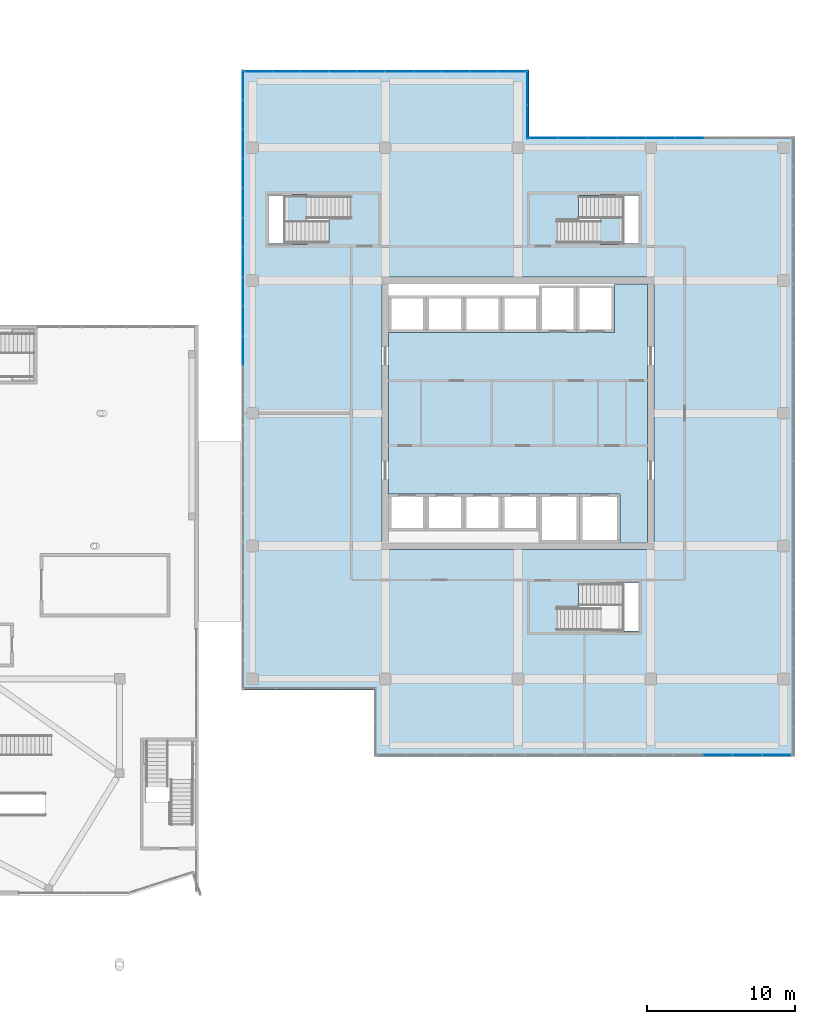
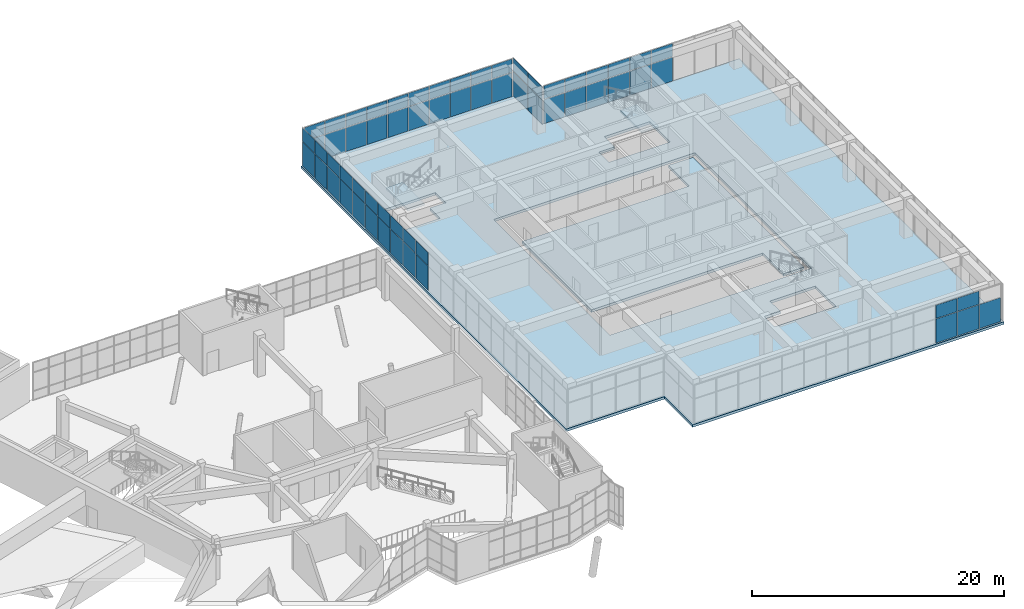
# One storey, part 50 of 66: 61 plates, 4 slabs, 7 elements without a shape of their own.
"""IFC4 building model written with IfcOpenShell, lengths in metres."""

from ifc_helpers import new_model, si_unit, direction, frame, origin, origin_2d, place, context, subcontext, project, spatial, polyline, rectangle, outline, extrude, material, layer, layer_set, type_object, element, aggregate, save


model = new_model("IFC4")

# Units and contexts
model_context = context("Model", 3, precision=1e-05, world=origin(), true_north=direction((0.0, 1.0)))
body_context = subcontext(model_context, "Body", "Model", "MODEL_VIEW")
ifc_project = project(units=[si_unit("LENGTHUNIT", "METRE"), si_unit("AREAUNIT", "SQUARE_METRE"), si_unit("VOLUMEUNIT", "CUBIC_METRE"), si_unit("PLANEANGLEUNIT", "RADIAN"), si_unit("MASSUNIT", "GRAM", prefix="KILO")], contexts=[model_context])

# Site, building, storey
site_placement = place(None, origin())
site = spatial("IfcSite", under=ifc_project, at=site_placement, CompositionType="ELEMENT")
building_placement = place(site_placement, origin())
building = spatial("IfcBuilding", under=site, at=building_placement, Name="Tuart Plaza Theatre", CompositionType="ELEMENT")
storey_placement = place(building_placement, frame((0.0, 0.0, 5.5)))
storey = spatial("IfcBuildingStorey", under=building, at=storey_placement, Name="L01", CompositionType="ELEMENT", Elevation=5.5)

# Curtain wall, plates
ifc_material_1 = material(Name="Aluminium and glass", Category="aluminium")
ifc_layer_1 = layer(ifc_material_1, 0.10009765625)
ifc_layer_set_1 = layer_set([ifc_layer_1], Name="CURTAIN WALL 2000 module")
curtain_wall_type = type_object("IfcCurtainWallType", Name="CURTAIN WALL 2000 module", PredefinedType="NOTDEFINED", material=ifc_layer_set_1)
curtain_wall_1_placement = place(storey_placement, origin())
curtain_wall_1 = element("IfcCurtainWall", 1, at=curtain_wall_1_placement, inside=storey, type_object=curtain_wall_type, Name="CW68", PredefinedType="NOTDEFINED")
ifc_material_2 = material(Name="Glass", Category="glass")
ifc_layer_2 = layer(ifc_material_2, 0.028076171875)
ifc_layer_set_2 = layer_set([ifc_layer_2], Name="CURTAIN PANEL double glazed 28")
plate_type = type_object("IfcPlateType", Name="CURTAIN PANEL double glazed 28", PredefinedType="CURTAIN_PANEL", material=ifc_layer_set_2)
plate_1_placement = place(storey_placement, frame((145.5322265625, 50.85009765625, 0.0498046875), z_axis=(0.0, 0.0, 1.0), x_axis=(1.0, 0.0, 0.0)))
plate_1 = element("IfcPlate", 2, at=plate_1_placement, type_object=plate_type, Name="CW68 panel 12.1", PredefinedType="CURTAIN_PANEL", context=body_context, shape_type="SweptSolid", body=[
    extrude(rectangle(XDim=1.95703125, YDim=0.028076171875, at=origin_2d()), origin(), (0.0, 0.0, 1.0), 2.324951171875),
])
plate_2_placement = place(storey_placement, frame((145.5322265625, 50.85009765625, 2.425048828125), z_axis=(0.0, 0.0, 1.0), x_axis=(1.0, 0.0, 0.0)))
plate_2 = element("IfcPlate", 3, at=plate_2_placement, type_object=plate_type, Name="CW68 panel 12.2", PredefinedType="CURTAIN_PANEL", context=body_context, shape_type="SweptSolid", body=[
    extrude(rectangle(XDim=1.95703125, YDim=0.028076171875, at=origin_2d()), origin(), (0.0, 0.0, 1.0), 1.27490234375),
])
plate_3_placement = place(storey_placement, frame((147.539306640625, 50.85009765625, 0.0498046875), z_axis=(0.0, 0.0, 1.0), x_axis=(1.0, 0.0, 0.0)))
plate_3 = element("IfcPlate", 4, at=plate_3_placement, type_object=plate_type, Name="CW68 panel 13.1", PredefinedType="CURTAIN_PANEL", context=body_context, shape_type="SweptSolid", body=[
    extrude(rectangle(XDim=1.95703125, YDim=0.028076171875, at=origin_2d()), origin(), (0.0, 0.0, 1.0), 2.324951171875),
])
plate_4_placement = place(storey_placement, frame((147.539306640625, 50.85009765625, 2.425048828125), z_axis=(0.0, 0.0, 1.0), x_axis=(1.0, 0.0, 0.0)))
plate_4 = element("IfcPlate", 5, at=plate_4_placement, type_object=plate_type, Name="CW68 panel 13.2", PredefinedType="CURTAIN_PANEL", context=body_context, shape_type="SweptSolid", body=[
    extrude(rectangle(XDim=1.95703125, YDim=0.028076171875, at=origin_2d()), origin(), (0.0, 0.0, 1.0), 1.27490234375),
])
plate_5_placement = place(storey_placement, frame((149.533935546875, 50.85009765625, 0.0498046875), z_axis=(0.0, 0.0, 1.0), x_axis=(1.0, 0.0, 0.0)))
plate_5 = element("IfcPlate", 6, at=plate_5_placement, type_object=plate_type, Name="CW68 panel 14.1", PredefinedType="CURTAIN_PANEL", context=body_context, shape_type="SweptSolid", body=[
    extrude(rectangle(XDim=1.93212890625, YDim=0.028076171875, at=origin_2d()), origin(), (0.0, 0.0, 1.0), 2.324951171875),
])
aggregate(curtain_wall_1, [plate_1, plate_2, plate_3, plate_4, plate_5])

curtain_wall_2_placement = place(storey_placement, origin())
curtain_wall_2 = element("IfcCurtainWall", 7, at=curtain_wall_2_placement, inside=storey, type_object=curtain_wall_type, Name="CW70", PredefinedType="NOTDEFINED")
plate_6_placement = place(storey_placement, frame((143.627685546875, 92.64990234375, 0.0498046875), z_axis=(0.0, 0.0, 1.0), x_axis=(-1.0, 0.0, 0.0)))
plate_6 = element("IfcPlate", 8, at=plate_6_placement, type_object=plate_type, Name="CW70 panel 4.1", PredefinedType="CURTAIN_PANEL", context=body_context, shape_type="SweptSolid", body=[
    extrude(rectangle(XDim=1.927734375, YDim=0.028076171875, at=origin_2d()), origin(), (0.0, 0.0, 1.0), 2.324951171875),
])
plate_7_placement = place(storey_placement, frame((143.627685546875, 92.64990234375, 2.425048828125), z_axis=(0.0, 0.0, 1.0), x_axis=(-1.0, 0.0, 0.0)))
plate_7 = element("IfcPlate", 9, at=plate_7_placement, type_object=plate_type, Name="CW70 panel 4.2", PredefinedType="CURTAIN_PANEL", context=body_context, shape_type="SweptSolid", body=[
    extrude(rectangle(XDim=1.927734375, YDim=0.028076171875, at=origin_2d()), origin(), (0.0, 0.0, 1.0), 1.27490234375),
])
plate_8_placement = place(storey_placement, frame((141.64990234375, 92.64990234375, 0.0498046875), z_axis=(0.0, 0.0, 1.0), x_axis=(-1.0, 0.0, 0.0)))
plate_8 = element("IfcPlate", 10, at=plate_8_placement, type_object=plate_type, Name="CW70 panel 5.1", PredefinedType="CURTAIN_PANEL", context=body_context, shape_type="SweptSolid", body=[
    extrude(rectangle(XDim=1.927734375, YDim=0.028076171875, at=origin_2d()), origin(), (0.0, 0.0, 1.0), 2.324951171875),
])
plate_9_placement = place(storey_placement, frame((141.64990234375, 92.64990234375, 2.425048828125), z_axis=(0.0, 0.0, 1.0), x_axis=(-1.0, 0.0, 0.0)))
plate_9 = element("IfcPlate", 11, at=plate_9_placement, type_object=plate_type, Name="CW70 panel 5.2", PredefinedType="CURTAIN_PANEL", context=body_context, shape_type="SweptSolid", body=[
    extrude(rectangle(XDim=1.927734375, YDim=0.028076171875, at=origin_2d()), origin(), (0.0, 0.0, 1.0), 1.27490234375),
])
plate_10_placement = place(storey_placement, frame((139.672119140625, 92.64990234375, 0.0498046875), z_axis=(0.0, 0.0, 1.0), x_axis=(-1.0, 0.0, 0.0)))
plate_10 = element("IfcPlate", 12, at=plate_10_placement, type_object=plate_type, Name="CW70 panel 6.1", PredefinedType="CURTAIN_PANEL", context=body_context, shape_type="SweptSolid", body=[
    extrude(rectangle(XDim=1.927734375, YDim=0.028076171875, at=origin_2d()), origin(), (0.0, 0.0, 1.0), 2.324951171875),
])
plate_11_placement = place(storey_placement, frame((139.672119140625, 92.64990234375, 2.425048828125), z_axis=(0.0, 0.0, 1.0), x_axis=(-1.0, 0.0, 0.0)))
plate_11 = element("IfcPlate", 13, at=plate_11_placement, type_object=plate_type, Name="CW70 panel 6.2", PredefinedType="CURTAIN_PANEL", context=body_context, shape_type="SweptSolid", body=[
    extrude(rectangle(XDim=1.927734375, YDim=0.028076171875, at=origin_2d()), origin(), (0.0, 0.0, 1.0), 1.27490234375),
])
plate_12_placement = place(storey_placement, frame((137.6943359375, 92.64990234375, 0.0498046875), z_axis=(0.0, 0.0, 1.0), x_axis=(-1.0, 0.0, 0.0)))
plate_12 = element("IfcPlate", 14, at=plate_12_placement, type_object=plate_type, Name="CW70 panel 7.1", PredefinedType="CURTAIN_PANEL", context=body_context, shape_type="SweptSolid", body=[
    extrude(rectangle(XDim=1.927734375, YDim=0.028076171875, at=origin_2d()), origin(), (0.0, 0.0, 1.0), 2.324951171875),
])
plate_13_placement = place(storey_placement, frame((137.6943359375, 92.64990234375, 2.425048828125), z_axis=(0.0, 0.0, 1.0), x_axis=(-1.0, 0.0, 0.0)))
plate_13 = element("IfcPlate", 15, at=plate_13_placement, type_object=plate_type, Name="CW70 panel 7.2", PredefinedType="CURTAIN_PANEL", context=body_context, shape_type="SweptSolid", body=[
    extrude(rectangle(XDim=1.927734375, YDim=0.028076171875, at=origin_2d()), origin(), (0.0, 0.0, 1.0), 1.27490234375),
])
plate_14_placement = place(storey_placement, frame((135.716552734375, 92.64990234375, 0.0498046875), z_axis=(0.0, 0.0, 1.0), x_axis=(-1.0, 0.0, 0.0)))
plate_14 = element("IfcPlate", 16, at=plate_14_placement, type_object=plate_type, Name="CW70 panel 8.1", PredefinedType="CURTAIN_PANEL", context=body_context, shape_type="SweptSolid", body=[
    extrude(rectangle(XDim=1.927734375, YDim=0.028076171875, at=origin_2d()), origin(), (0.0, 0.0, 1.0), 2.324951171875),
])
plate_15_placement = place(storey_placement, frame((135.716552734375, 92.64990234375, 2.425048828125), z_axis=(0.0, 0.0, 1.0), x_axis=(-1.0, 0.0, 0.0)))
plate_15 = element("IfcPlate", 17, at=plate_15_placement, type_object=plate_type, Name="CW70 panel 8.2", PredefinedType="CURTAIN_PANEL", context=body_context, shape_type="SweptSolid", body=[
    extrude(rectangle(XDim=1.927734375, YDim=0.028076171875, at=origin_2d()), origin(), (0.0, 0.0, 1.0), 1.27490234375),
])
plate_16_placement = place(storey_placement, frame((133.75146484375, 92.64990234375, 0.0498046875), z_axis=(0.0, 0.0, 1.0), x_axis=(-1.0, 0.0, 0.0)))
plate_16 = element("IfcPlate", 18, at=plate_16_placement, type_object=plate_type, Name="CW70 panel 9.1", PredefinedType="CURTAIN_PANEL", context=body_context, shape_type="SweptSolid", body=[
    extrude(rectangle(XDim=1.90283203125, YDim=0.028076171875, at=origin_2d()), origin(), (0.0, 0.0, 1.0), 2.324951171875),
])
plate_17_placement = place(storey_placement, frame((133.75146484375, 92.64990234375, 2.425048828125), z_axis=(0.0, 0.0, 1.0), x_axis=(-1.0, 0.0, 0.0)))
plate_17 = element("IfcPlate", 19, at=plate_17_placement, type_object=plate_type, Name="CW70 panel 9.2", PredefinedType="CURTAIN_PANEL", context=body_context, shape_type="SweptSolid", body=[
    extrude(rectangle(XDim=1.90283203125, YDim=0.028076171875, at=origin_2d()), origin(), (0.0, 0.0, 1.0), 1.27490234375),
])
aggregate(curtain_wall_2, [plate_6, plate_7, plate_8, plate_9, plate_10, plate_11, plate_12, plate_13, plate_14, plate_15, plate_16, plate_17])

curtain_wall_3_placement = place(storey_placement, origin())
curtain_wall_3 = element("IfcCurtainWall", 20, at=curtain_wall_3_placement, inside=storey, type_object=curtain_wall_type, Name="CW71", PredefinedType="NOTDEFINED")
plate_18_placement = place(storey_placement, frame((132.64990234375, 93.737548828125, 0.0498046875), z_axis=(0.0, 0.0, 1.0), x_axis=(0.0, 1.0, 0.0)))
plate_18 = element("IfcPlate", 21, at=plate_18_placement, type_object=plate_type, Name="CW71 panel 1.1", PredefinedType="CURTAIN_PANEL", context=body_context, shape_type="SweptSolid", body=[
    extrude(rectangle(XDim=2.27490234375, YDim=0.028076171875, at=origin_2d()), origin(), (0.0, 0.0, 1.0), 2.324951171875),
])
plate_19_placement = place(storey_placement, frame((132.64990234375, 93.737548828125, 2.425048828125), z_axis=(0.0, 0.0, 1.0), x_axis=(0.0, 1.0, 0.0)))
plate_19 = element("IfcPlate", 22, at=plate_19_placement, type_object=plate_type, Name="CW71 panel 1.2", PredefinedType="CURTAIN_PANEL", context=body_context, shape_type="SweptSolid", body=[
    extrude(rectangle(XDim=2.27490234375, YDim=0.028076171875, at=origin_2d()), origin(), (0.0, 0.0, 1.0), 1.27490234375),
])
plate_20_placement = place(storey_placement, frame((132.64990234375, 96.0625, 0.0498046875), z_axis=(0.0, 0.0, 1.0), x_axis=(0.0, 1.0, 0.0)))
plate_20 = element("IfcPlate", 23, at=plate_20_placement, type_object=plate_type, Name="CW71 panel 2.1", PredefinedType="CURTAIN_PANEL", context=body_context, shape_type="SweptSolid", body=[
    extrude(rectangle(XDim=2.27490234375, YDim=0.028076171875, at=origin_2d()), origin(), (0.0, 0.0, 1.0), 2.324951171875),
])
plate_21_placement = place(storey_placement, frame((132.64990234375, 96.0625, 2.425048828125), z_axis=(0.0, 0.0, 1.0), x_axis=(0.0, 1.0, 0.0)))
plate_21 = element("IfcPlate", 24, at=plate_21_placement, type_object=plate_type, Name="CW71 panel 2.2", PredefinedType="CURTAIN_PANEL", context=body_context, shape_type="SweptSolid", body=[
    extrude(rectangle(XDim=2.27490234375, YDim=0.028076171875, at=origin_2d()), origin(), (0.0, 0.0, 1.0), 1.27490234375),
])
aggregate(curtain_wall_3, [plate_18, plate_19, plate_20, plate_21])

curtain_wall_4_placement = place(storey_placement, origin())
curtain_wall_4 = element("IfcCurtainWall", 25, at=curtain_wall_4_placement, inside=storey, type_object=curtain_wall_type, Name="CW72", PredefinedType="NOTDEFINED")
plate_22_placement = place(storey_placement, frame((131.58251953125, 97.14990234375, 0.0498046875), z_axis=(0.0, 0.0, 1.0), x_axis=(-1.0, 0.0, 0.0)))
plate_22 = element("IfcPlate", 26, at=plate_22_placement, type_object=plate_type, Name="CW72 panel 1.1", PredefinedType="CURTAIN_PANEL", context=body_context, shape_type="SweptSolid", body=[
    extrude(rectangle(XDim=1.8349609375, YDim=0.028076171875, at=origin_2d()), origin(), (0.0, 0.0, 1.0), 2.324951171875),
])
plate_23_placement = place(storey_placement, frame((131.58251953125, 97.14990234375, 2.425048828125), z_axis=(0.0, 0.0, 1.0), x_axis=(-1.0, 0.0, 0.0)))
plate_23 = element("IfcPlate", 27, at=plate_23_placement, type_object=plate_type, Name="CW72 panel 1.2", PredefinedType="CURTAIN_PANEL", context=body_context, shape_type="SweptSolid", body=[
    extrude(rectangle(XDim=1.8349609375, YDim=0.028076171875, at=origin_2d()), origin(), (0.0, 0.0, 1.0), 1.27490234375),
])
plate_24_placement = place(storey_placement, frame((129.68505859375, 97.14990234375, 0.0498046875), z_axis=(0.0, 0.0, 1.0), x_axis=(-1.0, 0.0, 0.0)))
plate_24 = element("IfcPlate", 28, at=plate_24_placement, type_object=plate_type, Name="CW72 panel 2.1", PredefinedType="CURTAIN_PANEL", context=body_context, shape_type="SweptSolid", body=[
    extrude(rectangle(XDim=1.860107421875, YDim=0.028076171875, at=origin_2d()), origin(), (0.0, 0.0, 1.0), 2.324951171875),
])
plate_25_placement = place(storey_placement, frame((129.68505859375, 97.14990234375, 2.425048828125), z_axis=(0.0, 0.0, 1.0), x_axis=(-1.0, 0.0, 0.0)))
plate_25 = element("IfcPlate", 29, at=plate_25_placement, type_object=plate_type, Name="CW72 panel 2.2", PredefinedType="CURTAIN_PANEL", context=body_context, shape_type="SweptSolid", body=[
    extrude(rectangle(XDim=1.860107421875, YDim=0.028076171875, at=origin_2d()), origin(), (0.0, 0.0, 1.0), 1.27490234375),
])
plate_26_placement = place(storey_placement, frame((127.77490234375, 97.14990234375, 0.0498046875), z_axis=(0.0, 0.0, 1.0), x_axis=(-1.0, 0.0, 0.0)))
plate_26 = element("IfcPlate", 30, at=plate_26_placement, type_object=plate_type, Name="CW72 panel 3.1", PredefinedType="CURTAIN_PANEL", context=body_context, shape_type="SweptSolid", body=[
    extrude(rectangle(XDim=1.860107421875, YDim=0.028076171875, at=origin_2d()), origin(), (0.0, 0.0, 1.0), 2.324951171875),
])
plate_27_placement = place(storey_placement, frame((127.77490234375, 97.14990234375, 2.425048828125), z_axis=(0.0, 0.0, 1.0), x_axis=(-1.0, 0.0, 0.0)))
plate_27 = element("IfcPlate", 31, at=plate_27_placement, type_object=plate_type, Name="CW72 panel 3.2", PredefinedType="CURTAIN_PANEL", context=body_context, shape_type="SweptSolid", body=[
    extrude(rectangle(XDim=1.860107421875, YDim=0.028076171875, at=origin_2d()), origin(), (0.0, 0.0, 1.0), 1.27490234375),
])
plate_28_placement = place(storey_placement, frame((125.864990234375, 97.14990234375, 0.0498046875), z_axis=(0.0, 0.0, 1.0), x_axis=(-1.0, 0.0, 0.0)))
plate_28 = element("IfcPlate", 32, at=plate_28_placement, type_object=plate_type, Name="CW72 panel 4.1", PredefinedType="CURTAIN_PANEL", context=body_context, shape_type="SweptSolid", body=[
    extrude(rectangle(XDim=1.860107421875, YDim=0.028076171875, at=origin_2d()), origin(), (0.0, 0.0, 1.0), 2.324951171875),
])
plate_29_placement = place(storey_placement, frame((125.864990234375, 97.14990234375, 2.425048828125), z_axis=(0.0, 0.0, 1.0), x_axis=(-1.0, 0.0, 0.0)))
plate_29 = element("IfcPlate", 33, at=plate_29_placement, type_object=plate_type, Name="CW72 panel 4.2", PredefinedType="CURTAIN_PANEL", context=body_context, shape_type="SweptSolid", body=[
    extrude(rectangle(XDim=1.860107421875, YDim=0.028076171875, at=origin_2d()), origin(), (0.0, 0.0, 1.0), 1.27490234375),
])
plate_30_placement = place(storey_placement, frame((123.955078125, 97.14990234375, 0.0498046875), z_axis=(0.0, 0.0, 1.0), x_axis=(-1.0, 0.0, 0.0)))
plate_30 = element("IfcPlate", 34, at=plate_30_placement, type_object=plate_type, Name="CW72 panel 5.1", PredefinedType="CURTAIN_PANEL", context=body_context, shape_type="SweptSolid", body=[
    extrude(rectangle(XDim=1.860107421875, YDim=0.028076171875, at=origin_2d()), origin(), (0.0, 0.0, 1.0), 2.324951171875),
])
plate_31_placement = place(storey_placement, frame((123.955078125, 97.14990234375, 2.425048828125), z_axis=(0.0, 0.0, 1.0), x_axis=(-1.0, 0.0, 0.0)))
plate_31 = element("IfcPlate", 35, at=plate_31_placement, type_object=plate_type, Name="CW72 panel 5.2", PredefinedType="CURTAIN_PANEL", context=body_context, shape_type="SweptSolid", body=[
    extrude(rectangle(XDim=1.860107421875, YDim=0.028076171875, at=origin_2d()), origin(), (0.0, 0.0, 1.0), 1.27490234375),
])
plate_32_placement = place(storey_placement, frame((122.044921875, 97.14990234375, 0.0498046875), z_axis=(0.0, 0.0, 1.0), x_axis=(-1.0, 0.0, 0.0)))
plate_32 = element("IfcPlate", 36, at=plate_32_placement, type_object=plate_type, Name="CW72 panel 6.1", PredefinedType="CURTAIN_PANEL", context=body_context, shape_type="SweptSolid", body=[
    extrude(rectangle(XDim=1.860107421875, YDim=0.028076171875, at=origin_2d()), origin(), (0.0, 0.0, 1.0), 2.324951171875),
])
plate_33_placement = place(storey_placement, frame((122.044921875, 97.14990234375, 2.425048828125), z_axis=(0.0, 0.0, 1.0), x_axis=(-1.0, 0.0, 0.0)))
plate_33 = element("IfcPlate", 37, at=plate_33_placement, type_object=plate_type, Name="CW72 panel 6.2", PredefinedType="CURTAIN_PANEL", context=body_context, shape_type="SweptSolid", body=[
    extrude(rectangle(XDim=1.860107421875, YDim=0.028076171875, at=origin_2d()), origin(), (0.0, 0.0, 1.0), 1.27490234375),
])
plate_34_placement = place(storey_placement, frame((120.135009765625, 97.14990234375, 0.0498046875), z_axis=(0.0, 0.0, 1.0), x_axis=(-1.0, 0.0, 0.0)))
plate_34 = element("IfcPlate", 38, at=plate_34_placement, type_object=plate_type, Name="CW72 panel 7.1", PredefinedType="CURTAIN_PANEL", context=body_context, shape_type="SweptSolid", body=[
    extrude(rectangle(XDim=1.860107421875, YDim=0.028076171875, at=origin_2d()), origin(), (0.0, 0.0, 1.0), 2.324951171875),
])
plate_35_placement = place(storey_placement, frame((120.135009765625, 97.14990234375, 2.425048828125), z_axis=(0.0, 0.0, 1.0), x_axis=(-1.0, 0.0, 0.0)))
plate_35 = element("IfcPlate", 39, at=plate_35_placement, type_object=plate_type, Name="CW72 panel 7.2", PredefinedType="CURTAIN_PANEL", context=body_context, shape_type="SweptSolid", body=[
    extrude(rectangle(XDim=1.860107421875, YDim=0.028076171875, at=origin_2d()), origin(), (0.0, 0.0, 1.0), 1.27490234375),
])
plate_36_placement = place(storey_placement, frame((118.22509765625, 97.14990234375, 0.0498046875), z_axis=(0.0, 0.0, 1.0), x_axis=(-1.0, 0.0, 0.0)))
plate_36 = element("IfcPlate", 40, at=plate_36_placement, type_object=plate_type, Name="CW72 panel 8.1", PredefinedType="CURTAIN_PANEL", context=body_context, shape_type="SweptSolid", body=[
    extrude(rectangle(XDim=1.860107421875, YDim=0.028076171875, at=origin_2d()), origin(), (0.0, 0.0, 1.0), 2.324951171875),
])
plate_37_placement = place(storey_placement, frame((118.22509765625, 97.14990234375, 2.425048828125), z_axis=(0.0, 0.0, 1.0), x_axis=(-1.0, 0.0, 0.0)))
plate_37 = element("IfcPlate", 41, at=plate_37_placement, type_object=plate_type, Name="CW72 panel 8.2", PredefinedType="CURTAIN_PANEL", context=body_context, shape_type="SweptSolid", body=[
    extrude(rectangle(XDim=1.860107421875, YDim=0.028076171875, at=origin_2d()), origin(), (0.0, 0.0, 1.0), 1.27490234375),
])
plate_38_placement = place(storey_placement, frame((116.31494140625, 97.14990234375, 0.0498046875), z_axis=(0.0, 0.0, 1.0), x_axis=(-1.0, 0.0, 0.0)))
plate_38 = element("IfcPlate", 42, at=plate_38_placement, type_object=plate_type, Name="CW72 panel 9.1", PredefinedType="CURTAIN_PANEL", context=body_context, shape_type="SweptSolid", body=[
    extrude(rectangle(XDim=1.860107421875, YDim=0.028076171875, at=origin_2d()), origin(), (0.0, 0.0, 1.0), 2.324951171875),
])
plate_39_placement = place(storey_placement, frame((116.31494140625, 97.14990234375, 2.425048828125), z_axis=(0.0, 0.0, 1.0), x_axis=(-1.0, 0.0, 0.0)))
plate_39 = element("IfcPlate", 43, at=plate_39_placement, type_object=plate_type, Name="CW72 panel 9.2", PredefinedType="CURTAIN_PANEL", context=body_context, shape_type="SweptSolid", body=[
    extrude(rectangle(XDim=1.860107421875, YDim=0.028076171875, at=origin_2d()), origin(), (0.0, 0.0, 1.0), 1.27490234375),
])
plate_40_placement = place(storey_placement, frame((114.41748046875, 97.14990234375, 0.0498046875), z_axis=(0.0, 0.0, 1.0), x_axis=(-1.0, 0.0, 0.0)))
plate_40 = element("IfcPlate", 44, at=plate_40_placement, type_object=plate_type, Name="CW72 panel 10.1", PredefinedType="CURTAIN_PANEL", context=body_context, shape_type="SweptSolid", body=[
    extrude(rectangle(XDim=1.8349609375, YDim=0.028076171875, at=origin_2d()), origin(), (0.0, 0.0, 1.0), 2.324951171875),
])
plate_41_placement = place(storey_placement, frame((114.41748046875, 97.14990234375, 2.425048828125), z_axis=(0.0, 0.0, 1.0), x_axis=(-1.0, 0.0, 0.0)))
plate_41 = element("IfcPlate", 45, at=plate_41_placement, type_object=plate_type, Name="CW72 panel 10.2", PredefinedType="CURTAIN_PANEL", context=body_context, shape_type="SweptSolid", body=[
    extrude(rectangle(XDim=1.8349609375, YDim=0.028076171875, at=origin_2d()), origin(), (0.0, 0.0, 1.0), 1.27490234375),
])
aggregate(curtain_wall_4, [plate_22, plate_23, plate_24, plate_25, plate_26, plate_27, plate_28, plate_29, plate_30, plate_31, plate_32, plate_33, plate_34, plate_35, plate_36, plate_37, plate_38, plate_39, plate_40, plate_41])

curtain_wall_5_placement = place(storey_placement, origin())
curtain_wall_5 = element("IfcCurtainWall", 46, at=curtain_wall_5_placement, inside=storey, type_object=curtain_wall_type, Name="CW73", PredefinedType="NOTDEFINED")
plate_42_placement = place(storey_placement, frame((113.35009765625, 96.237548828125, 0.0498046875), z_axis=(0.0, 0.0, 1.0), x_axis=(0.0, -1.0, 0.0)))
plate_42 = element("IfcPlate", 47, at=plate_42_placement, type_object=plate_type, Name="CW73 panel 1.1", PredefinedType="CURTAIN_PANEL", context=body_context, shape_type="SweptSolid", body=[
    extrude(rectangle(XDim=1.925048828125, YDim=0.028076171875, at=origin_2d()), origin(), (0.0, 0.0, 1.0), 2.324951171875),
])
plate_43_placement = place(storey_placement, frame((113.35009765625, 96.237548828125, 2.425048828125), z_axis=(0.0, 0.0, 1.0), x_axis=(0.0, -1.0, 0.0)))
plate_43 = element("IfcPlate", 48, at=plate_43_placement, type_object=plate_type, Name="CW73 panel 1.2", PredefinedType="CURTAIN_PANEL", context=body_context, shape_type="SweptSolid", body=[
    extrude(rectangle(XDim=1.925048828125, YDim=0.028076171875, at=origin_2d()), origin(), (0.0, 0.0, 1.0), 1.27490234375),
])
plate_44_placement = place(storey_placement, frame((113.35009765625, 94.25, 0.0498046875), z_axis=(0.0, 0.0, 1.0), x_axis=(0.0, -1.0, 0.0)))
plate_44 = element("IfcPlate", 49, at=plate_44_placement, type_object=plate_type, Name="CW73 panel 2.1", PredefinedType="CURTAIN_PANEL", context=body_context, shape_type="SweptSolid", body=[
    extrude(rectangle(XDim=1.949951171875, YDim=0.028076171875, at=origin_2d()), origin(), (0.0, 0.0, 1.0), 2.324951171875),
])
plate_45_placement = place(storey_placement, frame((113.35009765625, 94.25, 2.425048828125), z_axis=(0.0, 0.0, 1.0), x_axis=(0.0, -1.0, 0.0)))
plate_45 = element("IfcPlate", 50, at=plate_45_placement, type_object=plate_type, Name="CW73 panel 2.2", PredefinedType="CURTAIN_PANEL", context=body_context, shape_type="SweptSolid", body=[
    extrude(rectangle(XDim=1.949951171875, YDim=0.028076171875, at=origin_2d()), origin(), (0.0, 0.0, 1.0), 1.27490234375),
])
plate_46_placement = place(storey_placement, frame((113.35009765625, 92.25, 0.0498046875), z_axis=(0.0, 0.0, 1.0), x_axis=(0.0, -1.0, 0.0)))
plate_46 = element("IfcPlate", 51, at=plate_46_placement, type_object=plate_type, Name="CW73 panel 3.1", PredefinedType="CURTAIN_PANEL", context=body_context, shape_type="SweptSolid", body=[
    extrude(rectangle(XDim=1.949951171875, YDim=0.028076171875, at=origin_2d()), origin(), (0.0, 0.0, 1.0), 2.324951171875),
])
plate_47_placement = place(storey_placement, frame((113.35009765625, 92.25, 2.425048828125), z_axis=(0.0, 0.0, 1.0), x_axis=(0.0, -1.0, 0.0)))
plate_47 = element("IfcPlate", 52, at=plate_47_placement, type_object=plate_type, Name="CW73 panel 3.2", PredefinedType="CURTAIN_PANEL", context=body_context, shape_type="SweptSolid", body=[
    extrude(rectangle(XDim=1.949951171875, YDim=0.028076171875, at=origin_2d()), origin(), (0.0, 0.0, 1.0), 1.27490234375),
])
plate_48_placement = place(storey_placement, frame((113.35009765625, 90.25, 0.0498046875), z_axis=(0.0, 0.0, 1.0), x_axis=(0.0, -1.0, 0.0)))
plate_48 = element("IfcPlate", 53, at=plate_48_placement, type_object=plate_type, Name="CW73 panel 4.1", PredefinedType="CURTAIN_PANEL", context=body_context, shape_type="SweptSolid", body=[
    extrude(rectangle(XDim=1.949951171875, YDim=0.028076171875, at=origin_2d()), origin(), (0.0, 0.0, 1.0), 2.324951171875),
])
plate_49_placement = place(storey_placement, frame((113.35009765625, 90.25, 2.425048828125), z_axis=(0.0, 0.0, 1.0), x_axis=(0.0, -1.0, 0.0)))
plate_49 = element("IfcPlate", 54, at=plate_49_placement, type_object=plate_type, Name="CW73 panel 4.2", PredefinedType="CURTAIN_PANEL", context=body_context, shape_type="SweptSolid", body=[
    extrude(rectangle(XDim=1.949951171875, YDim=0.028076171875, at=origin_2d()), origin(), (0.0, 0.0, 1.0), 1.27490234375),
])
plate_50_placement = place(storey_placement, frame((113.35009765625, 88.25, 0.0498046875), z_axis=(0.0, 0.0, 1.0), x_axis=(0.0, -1.0, 0.0)))
plate_50 = element("IfcPlate", 55, at=plate_50_placement, type_object=plate_type, Name="CW73 panel 5.1", PredefinedType="CURTAIN_PANEL", context=body_context, shape_type="SweptSolid", body=[
    extrude(rectangle(XDim=1.949951171875, YDim=0.028076171875, at=origin_2d()), origin(), (0.0, 0.0, 1.0), 2.324951171875),
])
plate_51_placement = place(storey_placement, frame((113.35009765625, 88.25, 2.425048828125), z_axis=(0.0, 0.0, 1.0), x_axis=(0.0, -1.0, 0.0)))
plate_51 = element("IfcPlate", 56, at=plate_51_placement, type_object=plate_type, Name="CW73 panel 5.2", PredefinedType="CURTAIN_PANEL", context=body_context, shape_type="SweptSolid", body=[
    extrude(rectangle(XDim=1.949951171875, YDim=0.028076171875, at=origin_2d()), origin(), (0.0, 0.0, 1.0), 1.27490234375),
])
plate_52_placement = place(storey_placement, frame((113.35009765625, 86.25, 0.0498046875), z_axis=(0.0, 0.0, 1.0), x_axis=(0.0, -1.0, 0.0)))
plate_52 = element("IfcPlate", 57, at=plate_52_placement, type_object=plate_type, Name="CW73 panel 6.1", PredefinedType="CURTAIN_PANEL", context=body_context, shape_type="SweptSolid", body=[
    extrude(rectangle(XDim=1.949951171875, YDim=0.028076171875, at=origin_2d()), origin(), (0.0, 0.0, 1.0), 2.324951171875),
])
plate_53_placement = place(storey_placement, frame((113.35009765625, 86.25, 2.425048828125), z_axis=(0.0, 0.0, 1.0), x_axis=(0.0, -1.0, 0.0)))
plate_53 = element("IfcPlate", 58, at=plate_53_placement, type_object=plate_type, Name="CW73 panel 6.2", PredefinedType="CURTAIN_PANEL", context=body_context, shape_type="SweptSolid", body=[
    extrude(rectangle(XDim=1.949951171875, YDim=0.028076171875, at=origin_2d()), origin(), (0.0, 0.0, 1.0), 1.27490234375),
])
plate_54_placement = place(storey_placement, frame((113.35009765625, 84.25, 0.0498046875), z_axis=(0.0, 0.0, 1.0), x_axis=(0.0, -1.0, 0.0)))
plate_54 = element("IfcPlate", 59, at=plate_54_placement, type_object=plate_type, Name="CW73 panel 7.1", PredefinedType="CURTAIN_PANEL", context=body_context, shape_type="SweptSolid", body=[
    extrude(rectangle(XDim=1.949951171875, YDim=0.028076171875, at=origin_2d()), origin(), (0.0, 0.0, 1.0), 2.324951171875),
])
plate_55_placement = place(storey_placement, frame((113.35009765625, 84.25, 2.425048828125), z_axis=(0.0, 0.0, 1.0), x_axis=(0.0, -1.0, 0.0)))
plate_55 = element("IfcPlate", 60, at=plate_55_placement, type_object=plate_type, Name="CW73 panel 7.2", PredefinedType="CURTAIN_PANEL", context=body_context, shape_type="SweptSolid", body=[
    extrude(rectangle(XDim=1.949951171875, YDim=0.028076171875, at=origin_2d()), origin(), (0.0, 0.0, 1.0), 1.27490234375),
])
plate_56_placement = place(storey_placement, frame((113.35009765625, 82.25, 0.0498046875), z_axis=(0.0, 0.0, 1.0), x_axis=(0.0, -1.0, 0.0)))
plate_56 = element("IfcPlate", 61, at=plate_56_placement, type_object=plate_type, Name="CW73 panel 8.1", PredefinedType="CURTAIN_PANEL", context=body_context, shape_type="SweptSolid", body=[
    extrude(rectangle(XDim=1.949951171875, YDim=0.028076171875, at=origin_2d()), origin(), (0.0, 0.0, 1.0), 2.324951171875),
])
plate_57_placement = place(storey_placement, frame((113.35009765625, 82.25, 2.425048828125), z_axis=(0.0, 0.0, 1.0), x_axis=(0.0, -1.0, 0.0)))
plate_57 = element("IfcPlate", 62, at=plate_57_placement, type_object=plate_type, Name="CW73 panel 8.2", PredefinedType="CURTAIN_PANEL", context=body_context, shape_type="SweptSolid", body=[
    extrude(rectangle(XDim=1.949951171875, YDim=0.028076171875, at=origin_2d()), origin(), (0.0, 0.0, 1.0), 1.27490234375),
])
plate_58_placement = place(storey_placement, frame((113.35009765625, 80.25, 0.0498046875), z_axis=(0.0, 0.0, 1.0), x_axis=(0.0, -1.0, 0.0)))
plate_58 = element("IfcPlate", 63, at=plate_58_placement, type_object=plate_type, Name="CW73 panel 9.1", PredefinedType="CURTAIN_PANEL", context=body_context, shape_type="SweptSolid", body=[
    extrude(rectangle(XDim=1.949951171875, YDim=0.028076171875, at=origin_2d()), origin(), (0.0, 0.0, 1.0), 2.324951171875),
])
plate_59_placement = place(storey_placement, frame((113.35009765625, 80.25, 2.425048828125), z_axis=(0.0, 0.0, 1.0), x_axis=(0.0, -1.0, 0.0)))
plate_59 = element("IfcPlate", 64, at=plate_59_placement, type_object=plate_type, Name="CW73 panel 9.2", PredefinedType="CURTAIN_PANEL", context=body_context, shape_type="SweptSolid", body=[
    extrude(rectangle(XDim=1.949951171875, YDim=0.028076171875, at=origin_2d()), origin(), (0.0, 0.0, 1.0), 1.27490234375),
])
plate_60_placement = place(storey_placement, frame((113.35009765625, 78.25, 0.0498046875), z_axis=(0.0, 0.0, 1.0), x_axis=(0.0, -1.0, 0.0)))
plate_60 = element("IfcPlate", 65, at=plate_60_placement, type_object=plate_type, Name="CW73 panel 10.1", PredefinedType="CURTAIN_PANEL", context=body_context, shape_type="SweptSolid", body=[
    extrude(rectangle(XDim=1.949951171875, YDim=0.028076171875, at=origin_2d()), origin(), (0.0, 0.0, 1.0), 2.324951171875),
])
plate_61_placement = place(storey_placement, frame((113.35009765625, 78.25, 2.425048828125), z_axis=(0.0, 0.0, 1.0), x_axis=(0.0, -1.0, 0.0)))
plate_61 = element("IfcPlate", 66, at=plate_61_placement, type_object=plate_type, Name="CW73 panel 10.2", PredefinedType="CURTAIN_PANEL", context=body_context, shape_type="SweptSolid", body=[
    extrude(rectangle(XDim=1.949951171875, YDim=0.028076171875, at=origin_2d()), origin(), (0.0, 0.0, 1.0), 1.27490234375),
])
aggregate(curtain_wall_5, [plate_42, plate_43, plate_44, plate_45, plate_46, plate_47, plate_48, plate_49, plate_50, plate_51, plate_52, plate_53, plate_54, plate_55, plate_56, plate_57, plate_58, plate_59, plate_60, plate_61])

# Slabs
ifc_material_3 = material(Name="Concrete N40 (40 MPa)", Category="concrete")
ifc_layer_3 = layer(ifc_material_3, 0.25)
ifc_layer_set_3 = layer_set([ifc_layer_3], Name="SLAB Floor 250 Concrete N40 (40 MPa)")
slab_type_1 = type_object("IfcSlabType", Name="SLAB Floor 250 Concrete N40 (40 MPa)", PredefinedType="FLOOR", material=ifc_layer_set_3)
slab_1_placement = place(storey_placement, frame((0.0, 0.0, -0.25)))
element("IfcSlab", 67, at=slab_1_placement, inside=storey, type_object=slab_type_1, Name="S82", PredefinedType="FLOOR", context=body_context, shape_type="SweptSolid", body=[
    extrude(outline(polyline([(150.75, 92.75), (132.75, 92.75), (132.75, 97.25), (113.25, 97.25), (113.25, 55.25), (122.25, 55.25), (122.25, 50.75), (150.75, 50.75), (150.75, 92.75)]), holes=[polyline([(141.22509765625, 64.77490234375), (141.22509765625, 83.22509765625), (122.77490234375, 83.22509765625), (122.77490234375, 64.77490234375), (141.22509765625, 64.77490234375)]), polyline([(136.114990234375, 62.5), (136.114990234375, 60.875), (134.655029296875, 60.875), (134.655029296875, 59.25), (140.27001953125, 59.25), (140.27001953125, 62.5), (136.114990234375, 62.5)]), polyline([(140.27001953125, 88.75), (136.114990234375, 88.75), (136.114990234375, 87.125), (134.655029296875, 87.125), (134.655029296875, 85.5), (140.27001953125, 85.5), (140.27001953125, 88.75)]), polyline([(115.030029296875, 88.75), (115.030029296875, 85.5), (119.18505859375, 85.5), (119.18505859375, 87.125), (120.64501953125, 87.125), (120.64501953125, 88.75), (115.030029296875, 88.75)])]), origin(), (0.0, 0.0, 1.0), 0.25),
])
slab_2_placement = place(storey_placement, frame((0.0, 0.0, -0.25)))
element("IfcSlab", 68, at=slab_2_placement, inside=storey, type_object=slab_type_1, Name="S83", PredefinedType="FLOOR", context=body_context, shape_type="SweptSolid", body=[
    extrude(outline(polyline([(138.925048828125, 68.52490234375), (138.925048828125, 65.22509765625), (140.77490234375, 65.22509765625), (140.77490234375, 82.77490234375), (138.52490234375, 82.77490234375), (138.52490234375, 79.47509765625), (123.22509765625, 79.47509765625), (123.22509765625, 68.52490234375), (138.925048828125, 68.52490234375)])), origin(), (0.0, 0.0, 1.0), 0.25),
])

# Stair, slab
ifc_material_4 = material(Name="Concrete N40 (40 MPa)", Category="concrete")
stair_type = type_object("IfcStairType", Name="STAIR half turn 1500", PredefinedType="HALF_TURN_STAIR", material=ifc_material_4)
stair_1_placement = place(storey_placement, origin())
stair_1 = element("IfcStair", 69, at=stair_1_placement, inside=storey, type_object=stair_type, Name="SC-8", PredefinedType="HALF_TURN_STAIR")
ifc_material_5 = material(Name="Concrete N40 (40 MPa)", Category="concrete")
ifc_layer_4 = layer(ifc_material_5, 0.199951171875)
ifc_layer_set_4 = layer_set([ifc_layer_4], Name="STAIR LANDING 200")
slab_type_2 = type_object("IfcSlabType", Name="STAIR LANDING 200", PredefinedType="LANDING", material=ifc_layer_set_4)
slab_3_placement = place(storey_placement, frame((0.0, 0.0, 1.800048828125)))
slab_3 = element("IfcSlab", 70, at=slab_3_placement, type_object=slab_type_2, Name="SC-8 landing 1", PredefinedType="LANDING", context=body_context, shape_type="SweptSolid", body=[
    extrude(outline(polyline([(137.60009765625, 85.427001953125), (139.1298828125, 85.427001953125), (139.1298828125, 88.822998046875), (137.60009765625, 88.822998046875), (137.60009765625, 85.427001953125)])), origin(), (0.0, 0.0, 1.0), 0.199951171875),
])
aggregate(stair_1, [slab_3])

stair_2_placement = place(storey_placement, origin())
stair_2 = element("IfcStair", 71, at=stair_2_placement, inside=storey, type_object=stair_type, Name="SC-14", PredefinedType="HALF_TURN_STAIR")
slab_4_placement = place(storey_placement, frame((0.0, 0.0, 1.800048828125)))
slab_4 = element("IfcSlab", 72, at=slab_4_placement, type_object=slab_type_2, Name="SC-14 landing 1", PredefinedType="LANDING", context=body_context, shape_type="SweptSolid", body=[
    extrude(outline(polyline([(117.699951171875, 88.822998046875), (116.169921875, 88.822998046875), (116.169921875, 85.427001953125), (117.699951171875, 85.427001953125), (117.699951171875, 88.822998046875)])), origin(), (0.0, 0.0, 1.0), 0.199951171875),
])
aggregate(stair_2, [slab_4])

save(model, "model.ifc")
